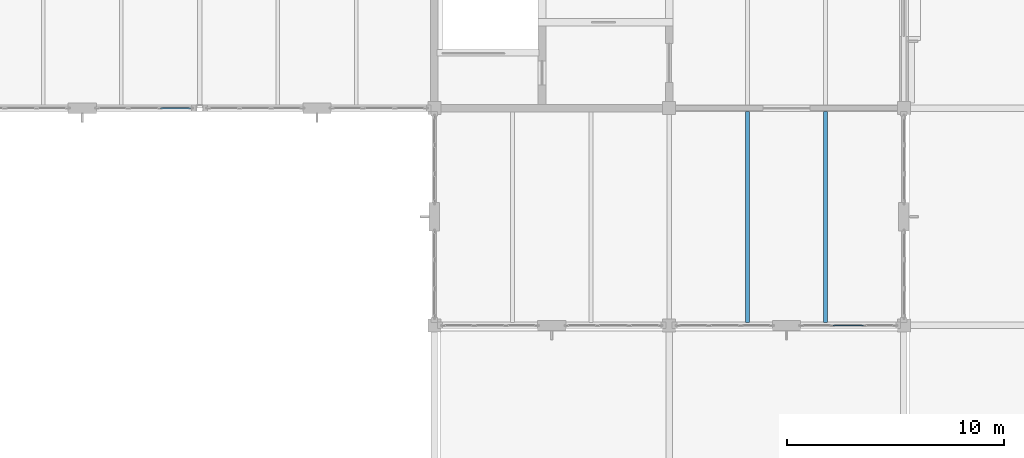
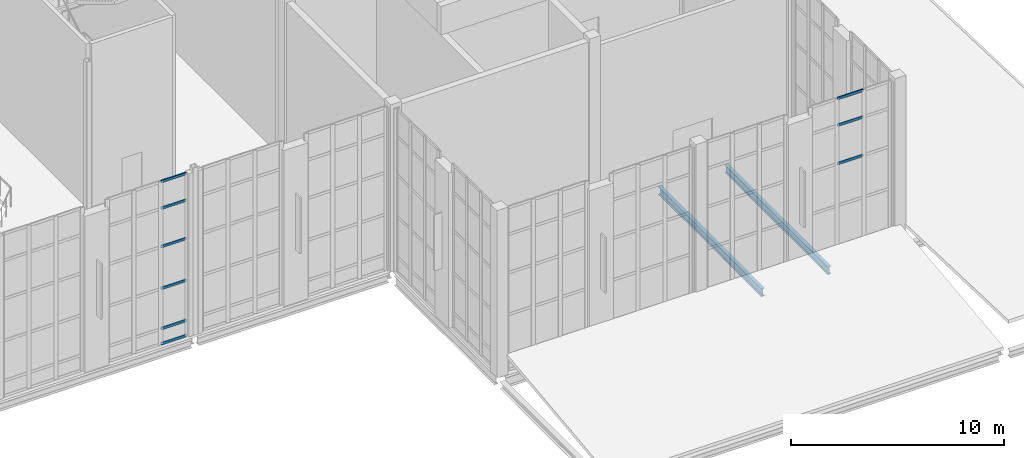
# One storey, part 36 of 100: 9 members, 2 beams, 2 elements without a shape of their own.
"""IFC4 building model written with IfcOpenShell, lengths in metres."""

from ifc_helpers import new_model, si_unit, direction, frame, origin, origin_2d, place, context, subcontext, project, spatial, hollow_rectangle, i_section, extrude, material, layer, layer_set, material_profile, profile_set, type_object, element, aggregate, save


model = new_model("IFC4")

# Units and contexts
model_context = context("Model", 3, precision=1e-05, world=origin(), true_north=direction((0.0, 1.0)))
body_context = subcontext(model_context, "Body", "Model", "MODEL_VIEW")
ifc_project = project(units=[si_unit("LENGTHUNIT", "METRE"), si_unit("AREAUNIT", "SQUARE_METRE"), si_unit("VOLUMEUNIT", "CUBIC_METRE"), si_unit("PLANEANGLEUNIT", "RADIAN"), si_unit("MASSUNIT", "GRAM", prefix="KILO")], contexts=[model_context])

# Site, building, storey
site_placement = place(None, origin())
site = spatial("IfcSite", under=ifc_project, at=site_placement, CompositionType="ELEMENT")
building_placement = place(site_placement, origin())
building = spatial("IfcBuilding", under=site, at=building_placement, Name="Tasgan Crest Museum", CompositionType="ELEMENT")
storey_placement = place(building_placement, frame((0.0, 0.0, 14.39990234375)))
storey = spatial("IfcBuildingStorey", under=building, at=storey_placement, Name="L03", CompositionType="ELEMENT", Elevation=14.39990234375)

# Beams
ifc_material_1 = material(Name="Steel S355J2", Category="steel")
ifc_material_profile_1 = material_profile(ifc_material_1, i_section(OverallWidth=0.18994140625, OverallDepth=0.449951171875, WebThickness=0.009521484375, FlangeThickness=0.0146484375, FilletRadius=0.02099609375, at=origin_2d()), Name="IPE 450")
ifc_profile_set_1 = profile_set([ifc_material_profile_1], Name="Steel S355J2")
beam_type = type_object("IfcBeamType", Name="BM-J-IPE450", PredefinedType="JOIST", material=ifc_profile_set_1)
for number, where, z_axis, x_axis, name in (
    (1, (122.39990234375, 30.14501953125, -0.5048828125), (0.0, 1.0, 0.0), (-1.0, 0.0, 0.0), "Secondary joist L03 X=122.4 Y=30.0-40.0"),
    (2, (126.0, 30.14501953125, -0.5048828125), (0.0, 1.0, 0.0), (-1.0, 0.0, 0.0), "Secondary joist L03 X=126.0 Y=30.0-40.0"),
):
    element("IfcBeam", number, at=place(storey_placement, frame(where, z_axis=z_axis, x_axis=x_axis)), inside=storey, type_object=beam_type, Name=name, PredefinedType="JOIST", context=body_context, shape_type="SweptSolid", body=[
        extrude(i_section(OverallWidth=0.18994140625, OverallDepth=0.449951171875, WebThickness=0.009521484375, FlangeThickness=0.0146484375, FilletRadius=0.02099609375, at=origin_2d()), origin(), (0.0, 0.0, 1.0), 9.7099609375),
    ])

# Curtain wall, members
ifc_material_2 = material(Name="Triple-Glazed Aluminium Curtain Wall", Category="aluminium")
ifc_layer_1 = layer(ifc_material_2, 0.179931640625, Name="CW-GAL-X-96")
ifc_layer_set_1 = layer_set([ifc_layer_1], Name="Triple-Glazed Aluminium Curtain Wall")
curtain_wall_type_1 = type_object("IfcCurtainWallType", Name="CW-GAL-X-96", PredefinedType="NOTDEFINED", material=ifc_layer_set_1)
curtain_wall_1_placement = place(storey_placement, origin())
curtain_wall_1 = element("IfcCurtainWall", 3, at=curtain_wall_1_placement, inside=storey, type_object=curtain_wall_type_1, Name="Curtain wall L03 116", PredefinedType="NOTDEFINED")
ifc_material_3 = material(Name="Anodised Aluminium", Category="aluminium")
ifc_material_profile_2 = material_profile(ifc_material_3, hollow_rectangle(XDim=0.06005859375, YDim=0.14990234375, WallThickness=0.0048828125, at=origin_2d()), Name="ALU TRANSOM 150x60x5")
ifc_profile_set_2 = profile_set([ifc_material_profile_2], Name="Anodised Aluminium")
member_type = type_object("IfcMemberType", Name="CW-TRANSOM-150", PredefinedType="USERDEFINED", material=ifc_profile_set_2)
member_1_placement = place(storey_placement, frame((126.33837890625, 30.0, 5.60009765625), z_axis=(1.0, 0.0, 0.0), x_axis=(0.0, 1.0, 0.0)))
member_1 = element("IfcMember", 4, at=member_1_placement, type_object=member_type, Name="CW14 transom 2.4", ObjectType="TRANSOM", PredefinedType="USERDEFINED", context=body_context, shape_type="SweptSolid", body=[
    extrude(hollow_rectangle(XDim=0.06005859375, YDim=0.14990234375, WallThickness=0.0048828125, at=origin_2d()), origin(), (0.0, 0.0, 1.0), 1.4033203125),
])
member_2_placement = place(storey_placement, frame((126.33837890625, 30.0, 7.800048828125), z_axis=(1.0, 0.0, 0.0), x_axis=(0.0, 1.0, 0.0)))
member_2 = element("IfcMember", 5, at=member_2_placement, type_object=member_type, Name="CW14 transom 2.5", ObjectType="TRANSOM", PredefinedType="USERDEFINED", context=body_context, shape_type="SweptSolid", body=[
    extrude(hollow_rectangle(XDim=0.06005859375, YDim=0.14990234375, WallThickness=0.0048828125, at=origin_2d()), origin(), (0.0, 0.0, 1.0), 1.4033203125),
])
member_3_placement = place(storey_placement, frame((126.33837890625, 30.0, 9.330078125), z_axis=(1.0, 0.0, 0.0), x_axis=(0.0, 1.0, 0.0)))
member_3 = element("IfcMember", 6, at=member_3_placement, type_object=member_type, Name="CW14 transom 2.6", ObjectType="TRANSOM", PredefinedType="USERDEFINED", context=body_context, shape_type="SweptSolid", body=[
    extrude(hollow_rectangle(XDim=0.06005859375, YDim=0.14990234375, WallThickness=0.0048828125, at=origin_2d()), origin(), (0.0, 0.0, 1.0), 1.4033203125),
])
aggregate(curtain_wall_1, [member_1, member_2, member_3])

ifc_material_4 = material(Name="Triple-Glazed Aluminium Curtain Wall", Category="aluminium")
ifc_layer_2 = layer(ifc_material_4, 0.179931640625, Name="CW-DRUM-X-96")
ifc_layer_set_2 = layer_set([ifc_layer_2], Name="Triple-Glazed Aluminium Curtain Wall")
curtain_wall_type_2 = type_object("IfcCurtainWallType", Name="CW-DRUM-X-96", PredefinedType="NOTDEFINED", material=ifc_layer_set_2)
curtain_wall_2_placement = place(storey_placement, origin())
curtain_wall_2 = element("IfcCurtainWall", 7, at=curtain_wall_2_placement, inside=storey, type_object=curtain_wall_type_2, Name="Curtain wall L03 152", PredefinedType="NOTDEFINED")
member_4_placement = place(storey_placement, frame((95.401611328125, 40.0, 0.030029296875), z_axis=(1.0, 0.0, 0.0), x_axis=(0.0, 1.0, 0.0)))
member_4 = element("IfcMember", 8, at=member_4_placement, type_object=member_type, Name="CW06 transom 3.1", ObjectType="TRANSOM", PredefinedType="USERDEFINED", context=body_context, shape_type="SweptSolid", body=[
    extrude(hollow_rectangle(XDim=0.06005859375, YDim=0.14990234375, WallThickness=0.0048828125, at=origin_2d()), origin(), (0.0, 0.0, 1.0), 1.373291015625),
])
member_5_placement = place(storey_placement, frame((95.401611328125, 40.0, 0.900146484375), z_axis=(1.0, 0.0, 0.0), x_axis=(0.0, 1.0, 0.0)))
member_5 = element("IfcMember", 9, at=member_5_placement, type_object=member_type, Name="CW06 transom 3.2", ObjectType="TRANSOM", PredefinedType="USERDEFINED", context=body_context, shape_type="SweptSolid", body=[
    extrude(hollow_rectangle(XDim=0.06005859375, YDim=0.14990234375, WallThickness=0.0048828125, at=origin_2d()), origin(), (0.0, 0.0, 1.0), 1.373291015625),
])
member_6_placement = place(storey_placement, frame((95.401611328125, 40.0, 3.2001953125), z_axis=(1.0, 0.0, 0.0), x_axis=(0.0, 1.0, 0.0)))
member_6 = element("IfcMember", 10, at=member_6_placement, type_object=member_type, Name="CW06 transom 3.3", ObjectType="TRANSOM", PredefinedType="USERDEFINED", context=body_context, shape_type="SweptSolid", body=[
    extrude(hollow_rectangle(XDim=0.06005859375, YDim=0.14990234375, WallThickness=0.0048828125, at=origin_2d()), origin(), (0.0, 0.0, 1.0), 1.373291015625),
])
member_7_placement = place(storey_placement, frame((95.401611328125, 40.0, 5.60009765625), z_axis=(1.0, 0.0, 0.0), x_axis=(0.0, 1.0, 0.0)))
member_7 = element("IfcMember", 11, at=member_7_placement, type_object=member_type, Name="CW06 transom 3.4", ObjectType="TRANSOM", PredefinedType="USERDEFINED", context=body_context, shape_type="SweptSolid", body=[
    extrude(hollow_rectangle(XDim=0.06005859375, YDim=0.14990234375, WallThickness=0.0048828125, at=origin_2d()), origin(), (0.0, 0.0, 1.0), 1.373291015625),
])
member_8_placement = place(storey_placement, frame((95.401611328125, 40.0, 7.800048828125), z_axis=(1.0, 0.0, 0.0), x_axis=(0.0, 1.0, 0.0)))
member_8 = element("IfcMember", 12, at=member_8_placement, type_object=member_type, Name="CW06 transom 3.5", ObjectType="TRANSOM", PredefinedType="USERDEFINED", context=body_context, shape_type="SweptSolid", body=[
    extrude(hollow_rectangle(XDim=0.06005859375, YDim=0.14990234375, WallThickness=0.0048828125, at=origin_2d()), origin(), (0.0, 0.0, 1.0), 1.373291015625),
])
member_9_placement = place(storey_placement, frame((95.401611328125, 40.0, 9.330078125), z_axis=(1.0, 0.0, 0.0), x_axis=(0.0, 1.0, 0.0)))
member_9 = element("IfcMember", 13, at=member_9_placement, type_object=member_type, Name="CW06 transom 3.6", ObjectType="TRANSOM", PredefinedType="USERDEFINED", context=body_context, shape_type="SweptSolid", body=[
    extrude(hollow_rectangle(XDim=0.06005859375, YDim=0.14990234375, WallThickness=0.0048828125, at=origin_2d()), origin(), (0.0, 0.0, 1.0), 1.373291015625),
])
aggregate(curtain_wall_2, [member_4, member_5, member_6, member_7, member_8, member_9])

save(model, "model.ifc")
